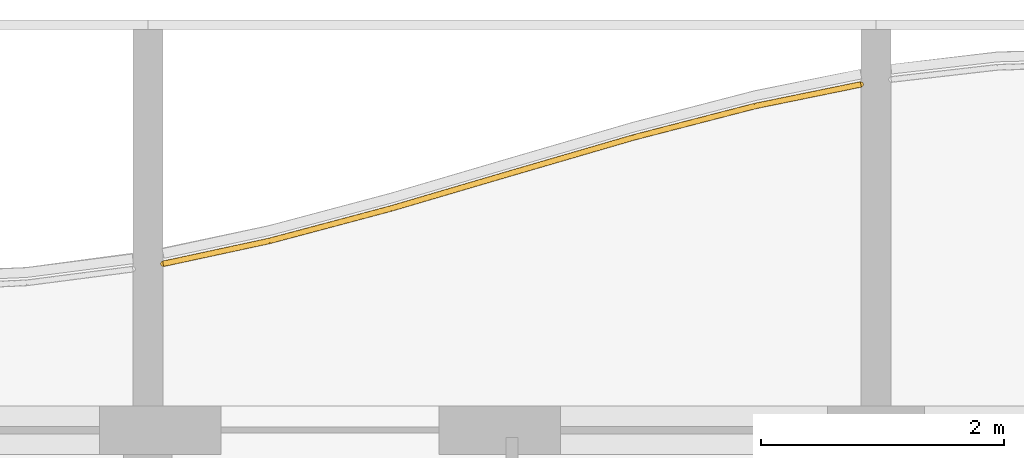
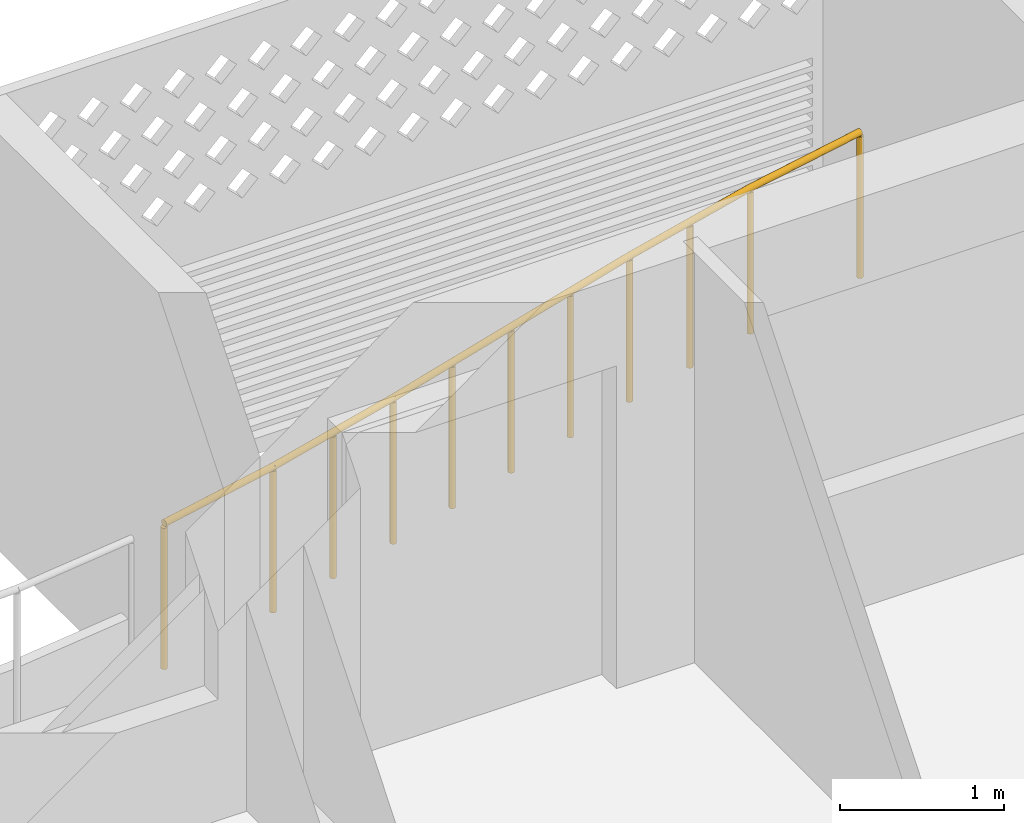
# One storey, part 32 of 44: 1 railing.
"""IFC4 building model written with IfcOpenShell, lengths in metres."""

from ifc_helpers import new_model, si_unit, direction, frame, origin, origin_2d, place, context, subcontext, project, spatial, circle, extrude, material, type_object, element, save


model = new_model("IFC4")

# Units and contexts
model_context = context("Model", 3, precision=1e-05, world=origin(), true_north=direction((0.0, 1.0)))
body_context = subcontext(model_context, "Body", "Model", "MODEL_VIEW")
ifc_project = project(units=[si_unit("LENGTHUNIT", "METRE"), si_unit("AREAUNIT", "SQUARE_METRE"), si_unit("VOLUMEUNIT", "CUBIC_METRE"), si_unit("PLANEANGLEUNIT", "RADIAN"), si_unit("MASSUNIT", "GRAM", prefix="KILO")], contexts=[model_context])

# Site, building, storey
site_placement = place(None, origin())
site = spatial("IfcSite", under=ifc_project, at=site_placement, CompositionType="ELEMENT")
building_placement = place(site_placement, origin())
building = spatial("IfcBuilding", under=site, at=building_placement, Name="Poui Terraces", CompositionType="ELEMENT")
storey_placement = place(building_placement, frame((0.0, 0.0, 30.0)))
storey = spatial("IfcBuildingStorey", under=building, at=storey_placement, Name="L07", CompositionType="ELEMENT", Elevation=30.0)

# Railing
ifc_material = material(Name="Painted steel fretwork", Category="steel")
railing_type = type_object("IfcRailingType", Name="BALCONY GUARD 1100", PredefinedType="GUARDRAIL", material=ifc_material)
railing_placement = place(storey_placement, frame((48.125, 46.170654296875, 0.0)))
element("IfcRailing", 1, at=railing_placement, inside=storey, type_object=railing_type, Name="BALCONY GUARD", PredefinedType="GUARDRAIL", context=body_context, shape_type="SweptSolid", body=[
    extrude(circle(Radius=0.02392578125, at=origin_2d()), frame((0.0, 0.0, 1.076171875), z_axis=(0.977522146276, 0.210832762018, 0.0), x_axis=(-0.210832762018, 0.977522146276, 0.0)), (0.0, 0.0, 1.0), 0.89501953125),
    extrude(circle(Radius=0.02392578125, at=origin_2d()), frame((0.875, 0.188720703125, 1.076171875), z_axis=(0.966309295868, 0.257383652781, 0.0), x_axis=(-0.257383652781, 0.966309295868, 0.0)), (0.0, 0.0, 1.0), 1.034912109375),
    extrude(circle(Radius=0.02392578125, at=origin_2d()), frame((1.875, 0.455078125, 1.076171875), z_axis=(0.959346851742, 0.282229725671, 0.0), x_axis=(-0.282229725671, 0.959346851742, 0.0)), (0.0, 0.0, 1.0), 1.04248046875),
    extrude(circle(Radius=0.02392578125, at=origin_2d()), frame((2.875, 0.749267578125, 1.076171875), z_axis=(0.960041991036, 0.279855990551, 0.0), x_axis=(-0.279855990551, 0.960041991036, 0.0)), (0.0, 0.0, 1.0), 1.04150390625),
    extrude(circle(Radius=0.02392578125, at=origin_2d()), frame((3.875, 1.040771484375, 1.076171875), z_axis=(0.968107386431, 0.250535602934, 0.0), x_axis=(-0.250535602934, 0.968107386431, 0.0)), (0.0, 0.0, 1.0), 1.032958984375),
    extrude(circle(Radius=0.02392578125, at=origin_2d()), frame((4.875, 1.299560546875, 1.076171875), z_axis=(0.979719810989, 0.200372383218, 0.0), x_axis=(-0.200372383218, 0.979719810989, 0.0)), (0.0, 0.0, 1.0), 0.89306640625),
    extrude(circle(Radius=0.02099609375, at=origin_2d()), origin(), (0.0, 0.0, 1.0), 1.052001953125),
    extrude(circle(Radius=0.02099609375, at=origin_2d()), frame((0.875, 0.188720703125, 0.0)), (0.0, 0.0, 1.0), 1.052001953125),
    extrude(circle(Radius=0.02099609375, at=origin_2d()), frame((1.375, 0.32177734375, 0.0)), (0.0, 0.0, 1.0), 1.052001953125),
    extrude(circle(Radius=0.02099609375, at=origin_2d()), frame((1.875, 0.455078125, 0.0)), (0.0, 0.0, 1.0), 1.052001953125),
    extrude(circle(Radius=0.02099609375, at=origin_2d()), frame((2.375, 0.60205078125, 0.0)), (0.0, 0.0, 1.0), 1.052001953125),
    extrude(circle(Radius=0.02099609375, at=origin_2d()), frame((2.875, 0.749267578125, 0.0)), (0.0, 0.0, 1.0), 1.052001953125),
    extrude(circle(Radius=0.02099609375, at=origin_2d()), frame((3.375, 0.89501953125, 0.0)), (0.0, 0.0, 1.0), 1.052001953125),
    extrude(circle(Radius=0.02099609375, at=origin_2d()), frame((3.875, 1.040771484375, 0.0)), (0.0, 0.0, 1.0), 1.052001953125),
    extrude(circle(Radius=0.02099609375, at=origin_2d()), frame((4.375, 1.170166015625, 0.0)), (0.0, 0.0, 1.0), 1.052001953125),
    extrude(circle(Radius=0.02099609375, at=origin_2d()), frame((4.875, 1.299560546875, 0.0)), (0.0, 0.0, 1.0), 1.052001953125),
    extrude(circle(Radius=0.02099609375, at=origin_2d()), frame((5.75, 1.478515625, 0.0)), (0.0, 0.0, 1.0), 1.052001953125),
])

save(model, "model.ifc")
